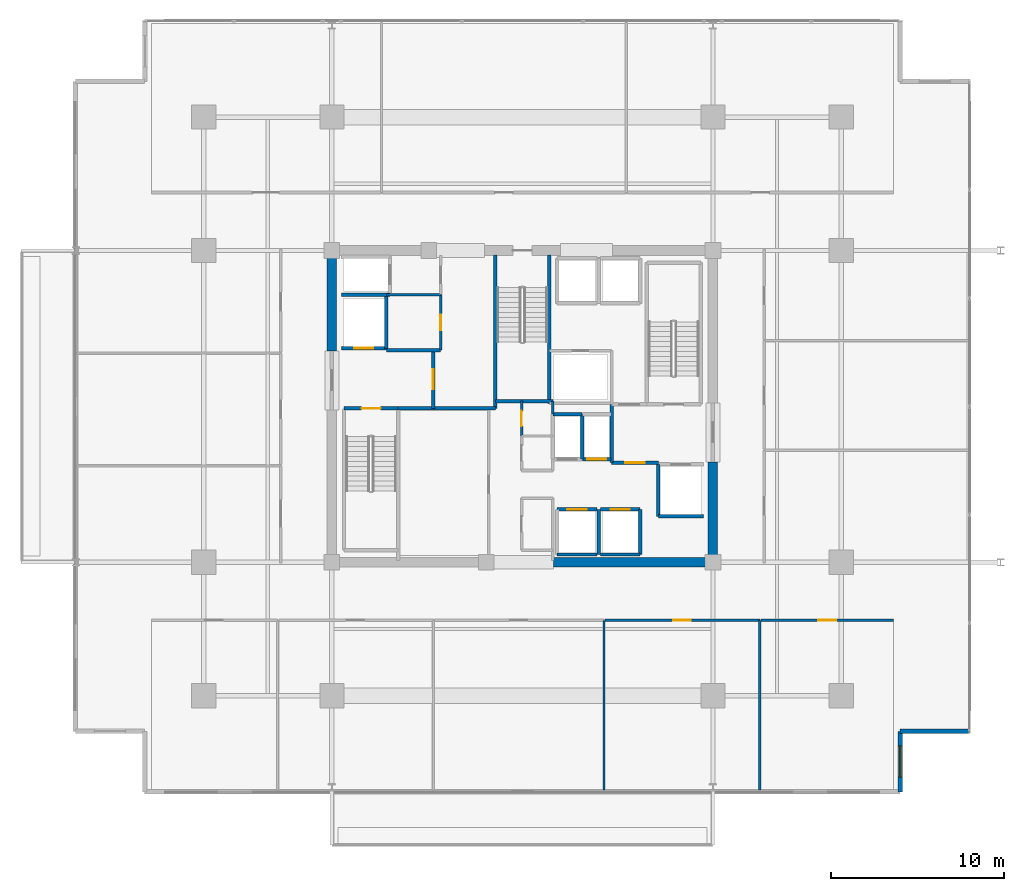
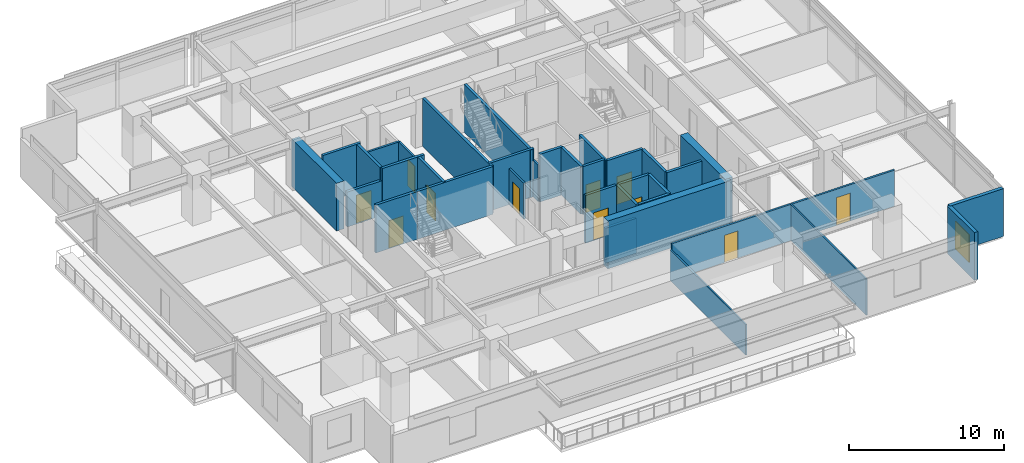
# One storey, part 15 of 22: 36 walls, 11 doors, 1 window, 12 openings.
"""IFC4 building model written with IfcOpenShell, lengths in metres."""

from ifc_helpers import new_model, si_unit, direction, frame, frame_2d, origin, place, context, subcontext, project, spatial, rectangle, extrude, material, layer, layer_set, type_object, element, fill, save


model = new_model("IFC4")

# Units and contexts
model_context = context("Model", 3, precision=1e-05, world=origin(), true_north=direction((0.0, 1.0)))
body_context = subcontext(model_context, "Body", "Model", "MODEL_VIEW")
ifc_project = project(units=[si_unit("LENGTHUNIT", "METRE"), si_unit("AREAUNIT", "SQUARE_METRE"), si_unit("VOLUMEUNIT", "CUBIC_METRE"), si_unit("PLANEANGLEUNIT", "RADIAN"), si_unit("MASSUNIT", "GRAM", prefix="KILO")], contexts=[model_context])

# Site, building, storey
site_placement = place(None, origin())
site = spatial("IfcSite", under=ifc_project, at=site_placement, CompositionType="ELEMENT")
building_placement = place(site_placement, origin())
building = spatial("IfcBuilding", under=site, at=building_placement, Name="Kovane Verandah Tower", CompositionType="ELEMENT")
storey_placement = place(building_placement, frame((0.0, 0.0, 225.199951171875)))
storey = spatial("IfcBuildingStorey", under=building, at=storey_placement, Name="L52", CompositionType="ELEMENT", Elevation=225.199951171875)

# Wall
ifc_material_1 = material(Name="Fire-Rated Gypsum Stud Partition", Category="gypsum")
ifc_layer_1 = layer(ifc_material_1, 0.14990234375)
ifc_layer_set_1 = layer_set([ifc_layer_1], Name="Fire-Rated Gypsum Stud Partition")
wall_type_1 = type_object("IfcWallType", Name="WL-COR-150", PredefinedType="PARTITIONING", material=ifc_layer_set_1)
wall_1_placement = place(storey_placement, frame((41.760009765625, 27.050048828125, 0.0), z_axis=(0.0, 0.0, 1.0), x_axis=(0.0, 1.0, 0.0)))
element("IfcWall", 1, at=wall_1_placement, inside=storey, type_object=wall_type_1, Name="L52 Central Core Strip Upper East Wall", PredefinedType="PARTITIONING", context=body_context, shape_type="SweptSolid", body=[
    extrude(rectangle(XDim=0.75, YDim=0.14990234375, at=frame_2d((0.375, 0.0))), origin(), (0.0, 0.0, 1.0), 2.85009765625),
])

# Wall, opening, door
wall_2_placement = place(storey_placement, frame((39.949951171875, 25.800048828125, 0.0), z_axis=(0.0, 0.0, 1.0), x_axis=(0.0, 1.0, 0.0)))
wall_2 = element("IfcWall", 2, at=wall_2_placement, inside=storey, type_object=wall_type_1, Name="L52 Telecom and BMS Riser Room Partition", PredefinedType="PARTITIONING", context=body_context, shape_type="SweptSolid", body=[
    extrude(rectangle(XDim=2.0, YDim=0.14990234375, at=frame_2d((1.0, 0.0))), origin(), (0.0, 0.0, 1.0), 2.85009765625),
])
opening_1_placement = place(wall_2_placement, frame((0.56005859375, 0.0, 0.0)))
opening_1 = element("IfcOpeningElement", 3, at=opening_1_placement, cuts=wall_2, Name="Opening DR-L52-025", PredefinedType="OPENING", context=body_context, shape_type="SweptSolid", body=[
    extrude(rectangle(XDim=0.8798828125, YDim=2.10009765625, at=frame_2d((0.43994140625, 1.050048828125))), frame((0.0, 0.074951171875, 0.0), z_axis=(0.0, -1.0, 0.0), x_axis=(1.0, 0.0, 0.0)), (0.0, 0.0, 1.0), 0.14990234375),
])
ifc_material_2 = material(Name="Fire-Rated Steel Riser Access Door", Category="steel")
door_type_1 = type_object("IfcDoorType", Name="DR-RISER-880", OperationType="SINGLE_SWING_LEFT", PredefinedType="DOOR", material=ifc_material_2)
door_1_placement = place(opening_1_placement, origin())
door_1 = element("IfcDoor", 4, at=door_1_placement, inside=storey, type_object=door_type_1, Name="L52 Telecom and BMS Riser Room Door", OperationType="SINGLE_SWING_RIGHT", OverallHeight=2.10009765625, OverallWidth=0.8798828125, PredefinedType="DOOR", context=body_context, shape_type="SweptSolid", body=[
    extrude(rectangle(XDim=0.8798828125, YDim=2.10009765625, at=frame_2d((0.43994140625, 1.050048828125))), frame((0.0, 0.02490234375, 0.0), z_axis=(0.0, -1.0, 0.0), x_axis=(1.0, 0.0, 0.0)), (0.0, 0.0, 1.0), 0.050048828125),
])
fill(opening_1, door_1)

# Wall
wall_3_placement = place(storey_placement, frame((32.14990234375, 33.949951171875, 0.0), z_axis=(0.0, 0.0, 1.0), x_axis=(1.0, 0.0, 0.0)))
element("IfcWall", 5, at=wall_3_placement, inside=storey, type_object=wall_type_1, Name="L52 Goods Lift Lobby South Wall", PredefinedType="PARTITIONING", context=body_context, shape_type="SweptSolid", body=[
    extrude(rectangle(XDim=3.130126953125, YDim=0.14990234375, at=frame_2d((1.56494140625, 0.0))), origin(), (0.0, 0.0, 1.0), 2.85009765625),
])

# Wall, opening, door
wall_4_placement = place(storey_placement, frame((35.280029296875, 30.75, 0.0), z_axis=(0.0, 0.0, 1.0), x_axis=(0.0, 1.0, 0.0)))
wall_4 = element("IfcWall", 6, at=wall_4_placement, inside=storey, type_object=wall_type_1, Name="L52 Accessible Unisex Toilet Partition", PredefinedType="PARTITIONING", context=body_context, shape_type="SweptSolid", body=[
    extrude(rectangle(XDim=3.199951171875, YDim=0.14990234375, at=frame_2d((1.60009765625, 0.0))), origin(), (0.0, 0.0, 1.0), 2.85009765625),
])
opening_2_placement = place(wall_4_placement, frame((1.14990234375, 0.0, 0.0)))
opening_2 = element("IfcOpeningElement", 7, at=opening_2_placement, cuts=wall_4, Name="Opening DR-L52-026", PredefinedType="OPENING", context=body_context, shape_type="SweptSolid", body=[
    extrude(rectangle(XDim=0.89990234375, YDim=2.10009765625, at=frame_2d((0.449951171875, 1.050048828125))), frame((0.0, 0.074951171875, 0.0), z_axis=(0.0, -1.0, 0.0), x_axis=(1.0, 0.0, 0.0)), (0.0, 0.0, 1.0), 0.14990234375),
])
ifc_material_3 = material(Name="Moisture-Resistant Laminate Washroom Door", Category="wood")
door_type_2 = type_object("IfcDoorType", Name="DR-WC-900", OperationType="SINGLE_SWING_LEFT", PredefinedType="DOOR", material=ifc_material_3)
door_2_placement = place(opening_2_placement, origin())
door_2 = element("IfcDoor", 8, at=door_2_placement, inside=storey, type_object=door_type_2, Name="L52 Accessible Unisex Toilet Door", OperationType="SINGLE_SWING_RIGHT", OverallHeight=2.10009765625, OverallWidth=0.89990234375, PredefinedType="DOOR", context=body_context, shape_type="SweptSolid", body=[
    extrude(rectangle(XDim=0.89990234375, YDim=2.10009765625, at=frame_2d((0.449951171875, 1.050048828125))), frame((0.0, 0.02490234375, 0.0), z_axis=(0.0, -1.0, 0.0), x_axis=(1.0, 0.0, 0.0)), (0.0, 0.0, 1.0), 0.050048828125),
])
fill(opening_2, door_2)

wall_5_placement = place(storey_placement, frame((44.780029296875, 15.14990234375, 0.0), z_axis=(0.0, 0.0, 1.0), x_axis=(1.0, 0.0, 0.0)))
wall_5 = element("IfcWall", 9, at=wall_5_placement, inside=storey, type_object=wall_type_1, Name="L52 Open Plan Office S4 Corridor Partition", PredefinedType="PARTITIONING", context=body_context, shape_type="SweptSolid", body=[
    extrude(rectangle(XDim=8.922119140625, YDim=0.14990234375, at=frame_2d((4.4609375, 0.0))), origin(), (0.0, 0.0, 1.0), 2.85009765625),
])
opening_3_placement = place(wall_5_placement, frame((3.926025390625, 0.0, 0.0)))
opening_3 = element("IfcOpeningElement", 10, at=opening_3_placement, cuts=wall_5, Name="Opening DR-L52-023", PredefinedType="OPENING", context=body_context, shape_type="SweptSolid", body=[
    extrude(rectangle(XDim=1.0, YDim=2.14990234375, at=frame_2d((0.5, 1.074951171875))), frame((0.0, 0.074951171875, 0.0), z_axis=(0.0, -1.0, 0.0), x_axis=(1.0, 0.0, 0.0)), (0.0, 0.0, 1.0), 0.14990234375),
])
ifc_material_4 = material(Name="FSC Spotted-Gum Timber Fire-Rated Office Door", Category="wood")
door_type_3 = type_object("IfcDoorType", Name="DR-OFF-1000", OperationType="SINGLE_SWING_LEFT", PredefinedType="DOOR", material=ifc_material_4)
door_3_placement = place(opening_3_placement, origin())
door_3 = element("IfcDoor", 11, at=door_3_placement, inside=storey, type_object=door_type_3, Name="L52 Open Plan Office S4 Entrance Door", OperationType="SINGLE_SWING_LEFT", OverallHeight=2.14990234375, OverallWidth=1.0, PredefinedType="DOOR", context=body_context, shape_type="SweptSolid", body=[
    extrude(rectangle(XDim=1.0, YDim=2.14990234375, at=frame_2d((0.5, 1.074951171875))), frame((0.0, 0.02490234375, 0.0), z_axis=(0.0, -1.0, 0.0), x_axis=(1.0, 0.0, 0.0)), (0.0, 0.0, 1.0), 0.050048828125),
])
fill(opening_3, door_3)

wall_6_placement = place(storey_placement, frame((53.772216796875, 15.14990234375, 0.0), z_axis=(0.0, 0.0, 1.0), x_axis=(1.0, 0.0, 0.0)))
wall_6 = element("IfcWall", 12, at=wall_6_placement, inside=storey, type_object=wall_type_1, Name="L52 Executive Office S5 Corridor Partition", PredefinedType="PARTITIONING", context=body_context, shape_type="SweptSolid", body=[
    extrude(rectangle(XDim=7.637451171875, YDim=0.14990234375, at=frame_2d((3.81884765625, 0.0))), origin(), (0.0, 0.0, 1.0), 2.85009765625),
])
opening_4_placement = place(wall_6_placement, frame((3.293701171875, 0.0, 0.0)))
opening_4 = element("IfcOpeningElement", 13, at=opening_4_placement, cuts=wall_6, Name="Opening DR-L52-024", PredefinedType="OPENING", context=body_context, shape_type="SweptSolid", body=[
    extrude(rectangle(XDim=1.050048828125, YDim=2.199951171875, at=frame_2d((0.52490234375, 1.10009765625))), frame((0.0, 0.074951171875, 0.0), z_axis=(0.0, -1.0, 0.0), x_axis=(1.0, 0.0, 0.0)), (0.0, 0.0, 1.0), 0.14990234375),
])
ifc_material_5 = material(Name="FSC Blackbutt Timber Fire-Rated Executive Door", Category="wood")
door_type_4 = type_object("IfcDoorType", Name="DR-EXEC-1050", OperationType="SINGLE_SWING_LEFT", PredefinedType="DOOR", material=ifc_material_5)
door_4_placement = place(opening_4_placement, origin())
door_4 = element("IfcDoor", 14, at=door_4_placement, inside=storey, type_object=door_type_4, Name="L52 Executive Office S5 Entrance Door", OperationType="SINGLE_SWING_RIGHT", OverallHeight=2.199951171875, OverallWidth=1.050048828125, PredefinedType="DOOR", context=body_context, shape_type="SweptSolid", body=[
    extrude(rectangle(XDim=1.050048828125, YDim=2.199951171875, at=frame_2d((0.52490234375, 1.10009765625))), frame((0.0, 0.02490234375, 0.0), z_axis=(0.0, -1.0, 0.0), x_axis=(1.0, 0.0, 0.0)), (0.0, 0.0, 1.0), 0.050048828125),
])
fill(opening_4, door_4)

# Walls
ifc_material_6 = material(Name="Concrete C60/75", Category="concrete")
ifc_layer_2 = layer(ifc_material_6, 0.550048828125)
ifc_layer_set_2 = layer_set([ifc_layer_2], Name="Concrete C60/75")
wall_type_2 = type_object("IfcWallType", Name="WL-CORE-550", PredefinedType="SHEAR", material=ifc_layer_set_2)
wall_7_placement = place(storey_placement, frame((41.800048828125, 18.5, 0.0), z_axis=(0.0, 0.0, 1.0), x_axis=(1.0, 0.0, 0.0)))
element("IfcWall", 15, at=wall_7_placement, inside=storey, type_object=wall_type_2, Name="L52 Core Shear Wall CS-2", PredefinedType="SHEAR", context=body_context, shape_type="SweptSolid", body=[
    extrude(rectangle(XDim=9.199951171875, YDim=0.550048828125, at=frame_2d((4.60009765625, 0.0))), origin(), (0.0, 0.0, 1.0), 3.775146484375),
])
for number, where, z_axis, x_axis, name in (
    (16, (29.0, 30.699951171875, 0.0), (0.0, 0.0, 1.0), (0.0, 1.0, 0.0), "L52 Core Shear Wall CW-2"),
    (17, (51.0, 18.5, 0.0), (0.0, 0.0, 1.0), (0.0, 1.0, 0.0), "L52 Core Shear Wall CE-1"),
):
    element("IfcWall", number, at=place(storey_placement, frame(where, z_axis=z_axis, x_axis=x_axis)), inside=storey, type_object=wall_type_2, Name=name, PredefinedType="SHEAR", context=body_context, shape_type="SweptSolid", body=[
        extrude(rectangle(XDim=5.800048828125, YDim=0.550048828125, at=frame_2d((2.89990234375, 0.0))), origin(), (0.0, 0.0, 1.0), 3.775146484375),
    ])

# Wall, opening, door
ifc_material_7 = material(Name="Concrete C45/55 Fire Wall", Category="concrete")
ifc_layer_3 = layer(ifc_material_7, 0.199951171875)
ifc_layer_set_3 = layer_set([ifc_layer_3], Name="Concrete C45/55 Fire Wall")
wall_type_3 = type_object("IfcWallType", Name="WL-FFL-200", PredefinedType="PARTITIONING", material=ifc_layer_set_3)
wall_8_placement = place(storey_placement, frame((34.85009765625, 27.3798828125, 0.0), z_axis=(0.0, 0.0, 1.0), x_axis=(0.0, 1.0, 0.0)))
wall_8 = element("IfcWall", 18, at=wall_8_placement, inside=storey, type_object=wall_type_3, Name="W-L52-FFLW-E", PredefinedType="PARTITIONING", context=body_context, shape_type="SweptSolid", body=[
    extrude(rectangle(XDim=3.3701171875, YDim=0.199951171875, at=frame_2d((1.68505859375, 0.0))), origin(), (0.0, 0.0, 1.0), 3.775146484375),
])
opening_5_placement = place(wall_8_placement, frame((1.110107421875, 0.0, 0.0)))
opening_5 = element("IfcOpeningElement", 19, at=opening_5_placement, cuts=wall_8, Name="Opening DR-L52-006", PredefinedType="OPENING", context=body_context, shape_type="SweptSolid", body=[
    extrude(rectangle(XDim=1.14990234375, YDim=2.199951171875, at=frame_2d((0.574951171875, 1.10009765625))), frame((0.0, 0.10009765625, 0.0), z_axis=(0.0, -1.0, 0.0), x_axis=(1.0, 0.0, 0.0)), (0.0, 0.0, 1.0), 0.199951171875),
])
ifc_material_8 = material(Name="Smoke-Sealed Firefighting Lobby Door", Category="steel")
door_type_5 = type_object("IfcDoorType", Name="DR-FFL-1150", OperationType="SINGLE_SWING_LEFT", PredefinedType="DOOR", material=ifc_material_8)
door_5_placement = place(opening_5_placement, origin())
door_5 = element("IfcDoor", 20, at=door_5_placement, inside=storey, type_object=door_type_5, Name="L52 West Firefighting Lobby Inner Door", OperationType="SINGLE_SWING_LEFT", OverallHeight=2.199951171875, OverallWidth=1.14990234375, PredefinedType="DOOR", context=body_context, shape_type="SweptSolid", body=[
    extrude(rectangle(XDim=1.14990234375, YDim=2.199951171875, at=frame_2d((0.574951171875, 1.10009765625))), frame((0.0, 0.02490234375, 0.0), z_axis=(0.0, -1.0, 0.0), x_axis=(1.0, 0.0, 0.0)), (0.0, 0.0, 1.0), 0.050048828125),
])
fill(opening_5, door_5)

# Walls
wall_9_placement = place(storey_placement, frame((32.820068359375, 27.3798828125, 0.0), z_axis=(0.0, 0.0, 1.0), x_axis=(1.0, 0.0, 0.0)))
element("IfcWall", 21, at=wall_9_placement, inside=storey, type_object=wall_type_3, Name="L52 West Firefighting Lobby South Fire Wall", PredefinedType="PARTITIONING", context=body_context, shape_type="SweptSolid", body=[
    extrude(rectangle(XDim=5.619873046875, YDim=0.199951171875, at=frame_2d((2.81005859375, 0.0))), origin(), (0.0, 0.0, 1.0), 3.775146484375),
])
wall_10_placement = place(storey_placement, frame((32.14990234375, 30.75, 0.0), z_axis=(0.0, 0.0, 1.0), x_axis=(1.0, 0.0, 0.0)))
element("IfcWall", 22, at=wall_10_placement, inside=storey, type_object=wall_type_3, Name="L52 West Firefighting Lobby North Fire Wall", PredefinedType="PARTITIONING", context=body_context, shape_type="SweptSolid", body=[
    extrude(rectangle(XDim=3.130126953125, YDim=0.199951171875, at=frame_2d((1.56494140625, 0.0))), origin(), (0.0, 0.0, 1.0), 3.775146484375),
])
wall_11_placement = place(storey_placement, frame((45.14990234375, 24.25, 0.0), z_axis=(0.0, 0.0, 1.0), x_axis=(0.0, 1.0, 0.0)))
element("IfcWall", 23, at=wall_11_placement, inside=storey, type_object=wall_type_3, Name="L52 East Firefighting Lobby West Fire Wall", PredefinedType="PARTITIONING", context=body_context, shape_type="SweptSolid", body=[
    extrude(rectangle(XDim=3.3701171875, YDim=0.199951171875, at=frame_2d((1.68505859375, 0.0))), origin(), (0.0, 0.0, 1.0), 3.775146484375),
])

# Wall, opening, door
wall_12_placement = place(storey_placement, frame((45.14990234375, 24.25, 0.0), z_axis=(0.0, 0.0, 1.0), x_axis=(1.0, 0.0, 0.0)))
wall_12 = element("IfcWall", 24, at=wall_12_placement, inside=storey, type_object=wall_type_3, Name="W-L52-FFLE-S", PredefinedType="PARTITIONING", context=body_context, shape_type="SweptSolid", body=[
    extrude(rectangle(XDim=2.7001953125, YDim=0.199951171875, at=frame_2d((1.35009765625, 0.0))), origin(), (0.0, 0.0, 1.0), 3.775146484375),
])
opening_6_placement = place(wall_12_placement, frame((0.77490234375, 0.0, 0.0)))
opening_6 = element("IfcOpeningElement", 25, at=opening_6_placement, cuts=wall_12, Name="Opening DR-L52-003", PredefinedType="OPENING", context=body_context, shape_type="SweptSolid", body=[
    extrude(rectangle(XDim=1.14990234375, YDim=2.199951171875, at=frame_2d((0.574951171875, 1.10009765625))), frame((0.0, 0.10009765625, 0.0), z_axis=(0.0, -1.0, 0.0), x_axis=(1.0, 0.0, 0.0)), (0.0, 0.0, 1.0), 0.199951171875),
])
door_6_placement = place(opening_6_placement, origin())
door_6 = element("IfcDoor", 26, at=door_6_placement, inside=storey, type_object=door_type_5, Name="L52 East Firefighting Lobby Inner Door", OperationType="SINGLE_SWING_RIGHT", OverallHeight=2.199951171875, OverallWidth=1.14990234375, PredefinedType="DOOR", context=body_context, shape_type="SweptSolid", body=[
    extrude(rectangle(XDim=1.14990234375, YDim=2.199951171875, at=frame_2d((0.574951171875, 1.10009765625))), frame((0.0, 0.02490234375, 0.0), z_axis=(0.0, -1.0, 0.0), x_axis=(1.0, 0.0, 0.0)), (0.0, 0.0, 1.0), 0.050048828125),
])
fill(opening_6, door_6)

ifc_material_9 = material(Name="Concrete C45/55 Lift Shaft Wall", Category="concrete")
ifc_layer_4 = layer(ifc_material_9, 0.199951171875)
ifc_layer_set_4 = layer_set([ifc_layer_4], Name="Concrete C45/55 Lift Shaft Wall")
wall_type_4 = type_object("IfcWallType", Name="WL-LIFT-200", PredefinedType="SOLIDWALL", material=ifc_layer_set_4)
wall_13_placement = place(storey_placement, frame((29.550048828125, 30.85009765625, 0.0), z_axis=(0.0, 0.0, 1.0), x_axis=(1.0, 0.0, 0.0)))
wall_13 = element("IfcWall", 27, at=wall_13_placement, inside=storey, type_object=wall_type_4, Name="L52 Lift FL-01 S Shaft Wall", PredefinedType="SOLIDWALL", context=body_context, shape_type="SweptSolid", body=[
    extrude(rectangle(XDim=2.599853515625, YDim=0.199951171875, at=frame_2d((1.2998046875, 0.0))), origin(), (0.0, 0.0, 1.0), 2.755126953125),
])
opening_7_placement = place(wall_13_placement, frame((0.75, 0.0, 0.0)))
opening_7 = element("IfcOpeningElement", 28, at=opening_7_placement, cuts=wall_13, Name="Opening LD-L52-001", PredefinedType="OPENING", context=body_context, shape_type="SweptSolid", body=[
    extrude(rectangle(XDim=1.10009765625, YDim=2.199951171875, at=frame_2d((0.550048828125, 1.10009765625))), frame((0.0, 0.10009765625, 0.0), z_axis=(0.0, -1.0, 0.0), x_axis=(1.0, 0.0, 0.0)), (0.0, 0.0, 1.0), 0.199951171875),
])
ifc_material_10 = material(Name="Brushed Stainless Steel Sliding Lift Landing Door", Category="steel")
door_type_6 = type_object("IfcDoorType", Name="DR-LIFT-1100", OperationType="SLIDING_TO_RIGHT", PredefinedType="DOOR", material=ifc_material_10)
door_7_placement = place(opening_7_placement, origin())
door_7 = element("IfcDoor", 29, at=door_7_placement, inside=storey, type_object=door_type_6, Name="L52 Lift FL-01 Sliding Landing Door", OperationType="SLIDING_TO_RIGHT", OverallHeight=2.199951171875, OverallWidth=1.10009765625, PredefinedType="DOOR", context=body_context, shape_type="SweptSolid", body=[
    extrude(rectangle(XDim=1.10009765625, YDim=2.199951171875, at=frame_2d((0.550048828125, 1.10009765625))), frame((0.0, 0.02490234375, 0.0), z_axis=(0.0, -1.0, 0.0), x_axis=(1.0, 0.0, 0.0)), (0.0, 0.0, 1.0), 0.050048828125),
])
fill(opening_7, door_7)

# Walls
wall_14_placement = place(storey_placement, frame((29.550048828125, 33.949951171875, 0.0), z_axis=(0.0, 0.0, 1.0), x_axis=(1.0, 0.0, 0.0)))
element("IfcWall", 30, at=wall_14_placement, inside=storey, type_object=wall_type_4, Name="L52 Lift FL-01 and GL-01 Shared Shaft Wall", PredefinedType="SOLIDWALL", context=body_context, shape_type="SweptSolid", body=[
    extrude(rectangle(XDim=2.800048828125, YDim=0.199951171875, at=frame_2d((1.39990234375, 0.0))), origin(), (0.0, 0.0, 1.0), 3.775146484375),
])
wall_15_placement = place(storey_placement, frame((32.14990234375, 30.85009765625, 0.0), z_axis=(0.0, 0.0, 1.0), x_axis=(0.0, 1.0, 0.0)))
element("IfcWall", 31, at=wall_15_placement, inside=storey, type_object=wall_type_4, Name="L52 Lift FL-01 E Shaft Wall", PredefinedType="SOLIDWALL", context=body_context, shape_type="SweptSolid", body=[
    extrude(rectangle(XDim=3.0, YDim=0.199951171875, at=frame_2d((1.5, 0.0))), origin(), (0.0, 0.0, 1.0), 3.775146484375),
])
wall_16_placement = place(storey_placement, frame((47.85009765625, 21.14990234375, 0.0), z_axis=(0.0, 0.0, 1.0), x_axis=(1.0, 0.0, 0.0)))
element("IfcWall", 32, at=wall_16_placement, inside=storey, type_object=wall_type_4, Name="L52 Lift FL-02 S Shaft Wall", PredefinedType="SOLIDWALL", context=body_context, shape_type="SweptSolid", body=[
    extrude(rectangle(XDim=2.599853515625, YDim=0.199951171875, at=frame_2d((1.2998046875, 0.0))), origin(), (0.0, 0.0, 1.0), 3.775146484375),
])
wall_17_placement = place(storey_placement, frame((47.85009765625, 24.14990234375, 0.0), z_axis=(0.0, 0.0, 1.0), x_axis=(0.0, -1.0, 0.0)))
element("IfcWall", 33, at=wall_17_placement, inside=storey, type_object=wall_type_4, Name="L52 Lift FL-02 W Shaft Wall", PredefinedType="SOLIDWALL", context=body_context, shape_type="SweptSolid", body=[
    extrude(rectangle(XDim=3.0, YDim=0.199951171875, at=frame_2d((1.5, 0.0))), origin(), (0.0, 0.0, 1.0), 3.775146484375),
])
wall_18_placement = place(storey_placement, frame((42.0, 18.949951171875, 0.0), z_axis=(0.0, 0.0, 1.0), x_axis=(1.0, 0.0, 0.0)))
element("IfcWall", 34, at=wall_18_placement, inside=storey, type_object=wall_type_4, Name="L52 Lift PL-M1 S Shaft Wall", PredefinedType="SOLIDWALL", context=body_context, shape_type="SweptSolid", body=[
    extrude(rectangle(XDim=2.300048828125, YDim=0.199951171875, at=frame_2d((1.14990234375, 0.0))), origin(), (0.0, 0.0, 1.0), 2.755126953125),
])

# Wall, opening, door
wall_19_placement = place(storey_placement, frame((44.300048828125, 21.550048828125, 0.0), z_axis=(0.0, 0.0, 1.0), x_axis=(-1.0, 0.0, 0.0)))
wall_19 = element("IfcWall", 35, at=wall_19_placement, inside=storey, type_object=wall_type_4, Name="L52 Lift PL-M1 N Shaft Wall", PredefinedType="SOLIDWALL", context=body_context, shape_type="SweptSolid", body=[
    extrude(rectangle(XDim=2.300048828125, YDim=0.199951171875, at=frame_2d((1.14990234375, 0.0))), origin(), (0.0, 0.0, 1.0), 3.775146484375),
])
opening_8_placement = place(wall_19_placement, frame((0.60009765625, 0.0, 0.0)))
opening_8 = element("IfcOpeningElement", 36, at=opening_8_placement, cuts=wall_19, Name="Opening LD-L52-004", PredefinedType="OPENING", context=body_context, shape_type="SweptSolid", body=[
    extrude(rectangle(XDim=1.10009765625, YDim=2.199951171875, at=frame_2d((0.550048828125, 1.10009765625))), frame((0.0, 0.10009765625, 0.0), z_axis=(0.0, -1.0, 0.0), x_axis=(1.0, 0.0, 0.0)), (0.0, 0.0, 1.0), 0.199951171875),
])
door_8_placement = place(opening_8_placement, origin())
door_8 = element("IfcDoor", 37, at=door_8_placement, inside=storey, type_object=door_type_6, Name="L52 Lift PL-M1 Sliding Landing Door", OperationType="SLIDING_TO_RIGHT", OverallHeight=2.199951171875, OverallWidth=1.10009765625, PredefinedType="DOOR", context=body_context, shape_type="SweptSolid", body=[
    extrude(rectangle(XDim=1.10009765625, YDim=2.199951171875, at=frame_2d((0.550048828125, 1.10009765625))), frame((0.0, 0.02490234375, 0.0), z_axis=(0.0, -1.0, 0.0), x_axis=(1.0, 0.0, 0.0)), (0.0, 0.0, 1.0), 0.050048828125),
])
fill(opening_8, door_8)

# Walls
wall_20_placement = place(storey_placement, frame((44.39990234375, 18.949951171875, 0.0), z_axis=(0.0, 0.0, 1.0), x_axis=(0.0, 1.0, 0.0)))
element("IfcWall", 38, at=wall_20_placement, inside=storey, type_object=wall_type_4, Name="L52 Lift PL-M1 and PL-M2 Shared Shaft Wall", PredefinedType="SOLIDWALL", context=body_context, shape_type="SweptSolid", body=[
    extrude(rectangle(XDim=2.60009765625, YDim=0.199951171875, at=frame_2d((1.300048828125, 0.0))), origin(), (0.0, 0.0, 1.0), 3.775146484375),
])
wall_21_placement = place(storey_placement, frame((44.5, 18.949951171875, 0.0), z_axis=(0.0, 0.0, 1.0), x_axis=(1.0, 0.0, 0.0)))
element("IfcWall", 39, at=wall_21_placement, inside=storey, type_object=wall_type_4, Name="L52 Lift PL-M2 S Shaft Wall", PredefinedType="SOLIDWALL", context=body_context, shape_type="SweptSolid", body=[
    extrude(rectangle(XDim=2.300048828125, YDim=0.199951171875, at=frame_2d((1.14990234375, 0.0))), origin(), (0.0, 0.0, 1.0), 3.775146484375),
])

# Wall, opening, door
wall_22_placement = place(storey_placement, frame((46.800048828125, 21.550048828125, 0.0), z_axis=(0.0, 0.0, 1.0), x_axis=(-1.0, 0.0, 0.0)))
wall_22 = element("IfcWall", 40, at=wall_22_placement, inside=storey, type_object=wall_type_4, Name="L52 Lift PL-M2 N Shaft Wall", PredefinedType="SOLIDWALL", context=body_context, shape_type="SweptSolid", body=[
    extrude(rectangle(XDim=2.300048828125, YDim=0.199951171875, at=frame_2d((1.14990234375, 0.0))), origin(), (0.0, 0.0, 1.0), 3.775146484375),
])
opening_9_placement = place(wall_22_placement, frame((0.60009765625, 0.0, 0.0)))
opening_9 = element("IfcOpeningElement", 41, at=opening_9_placement, cuts=wall_22, Name="Opening LD-L52-005", PredefinedType="OPENING", context=body_context, shape_type="SweptSolid", body=[
    extrude(rectangle(XDim=1.10009765625, YDim=2.199951171875, at=frame_2d((0.550048828125, 1.10009765625))), frame((0.0, 0.10009765625, 0.0), z_axis=(0.0, -1.0, 0.0), x_axis=(1.0, 0.0, 0.0)), (0.0, 0.0, 1.0), 0.199951171875),
])
door_9_placement = place(opening_9_placement, origin())
door_9 = element("IfcDoor", 42, at=door_9_placement, inside=storey, type_object=door_type_6, Name="L52 Lift PL-M2 Sliding Landing Door", OperationType="SLIDING_TO_RIGHT", OverallHeight=2.199951171875, OverallWidth=1.10009765625, PredefinedType="DOOR", context=body_context, shape_type="SweptSolid", body=[
    extrude(rectangle(XDim=1.10009765625, YDim=2.199951171875, at=frame_2d((0.550048828125, 1.10009765625))), frame((0.0, 0.02490234375, 0.0), z_axis=(0.0, -1.0, 0.0), x_axis=(1.0, 0.0, 0.0)), (0.0, 0.0, 1.0), 0.050048828125),
])
fill(opening_9, door_9)

# Walls
wall_23_placement = place(storey_placement, frame((46.800048828125, 18.949951171875, 0.0), z_axis=(0.0, 0.0, 1.0), x_axis=(0.0, 1.0, 0.0)))
element("IfcWall", 43, at=wall_23_placement, inside=storey, type_object=wall_type_4, Name="L52 Lift PL-M2 E Shaft Wall", PredefinedType="SOLIDWALL", context=body_context, shape_type="SweptSolid", body=[
    extrude(rectangle(XDim=2.60009765625, YDim=0.199951171875, at=frame_2d((1.300048828125, 0.0))), origin(), (0.0, 0.0, 1.0), 3.775146484375),
])
wall_24_placement = place(storey_placement, frame((43.43994140625, 27.050048828125, 0.0), z_axis=(0.0, 0.0, 1.0), x_axis=(-1.0, 0.0, 0.0)))
element("IfcWall", 44, at=wall_24_placement, inside=storey, type_object=wall_type_4, Name="L52 Lift PL-M3 N Shaft Wall", PredefinedType="SOLIDWALL", context=body_context, shape_type="SweptSolid", body=[
    extrude(rectangle(XDim=1.679931640625, YDim=0.199951171875, at=frame_2d((0.83984375, 0.0))), origin(), (0.0, 0.0, 1.0), 3.775146484375),
])
wall_25_placement = place(storey_placement, frame((43.449951171875, 24.449951171875, 0.0), z_axis=(0.0, 0.0, 1.0), x_axis=(0.0, 1.0, 0.0)))
element("IfcWall", 45, at=wall_25_placement, inside=storey, type_object=wall_type_4, Name="L52 Lift PL-M3 and PL-M4 Shared Shaft Wall", PredefinedType="SOLIDWALL", context=body_context, shape_type="SweptSolid", body=[
    extrude(rectangle(XDim=2.60009765625, YDim=0.199951171875, at=frame_2d((1.300048828125, 0.0))), origin(), (0.0, 0.0, 1.0), 3.775146484375),
])

# Wall, opening, door
wall_26_placement = place(storey_placement, frame((43.4599609375, 24.449951171875, 0.0), z_axis=(0.0, 0.0, 1.0), x_axis=(1.0, 0.0, 0.0)))
wall_26 = element("IfcWall", 46, at=wall_26_placement, inside=storey, type_object=wall_type_4, Name="L52 Lift PL-M4 S Shaft Wall", PredefinedType="SOLIDWALL", context=body_context, shape_type="SweptSolid", body=[
    extrude(rectangle(XDim=1.66015625, YDim=0.199951171875, at=frame_2d((0.830078125, 0.0))), origin(), (0.0, 0.0, 1.0), 3.775146484375),
])
opening_10_placement = place(wall_26_placement, frame((0.280029296875, 0.0, 0.0)))
opening_10 = element("IfcOpeningElement", 47, at=opening_10_placement, cuts=wall_26, Name="Opening LD-L52-007", PredefinedType="OPENING", context=body_context, shape_type="SweptSolid", body=[
    extrude(rectangle(XDim=1.10009765625, YDim=2.199951171875, at=frame_2d((0.550048828125, 1.10009765625))), frame((0.0, 0.10009765625, 0.0), z_axis=(0.0, -1.0, 0.0), x_axis=(1.0, 0.0, 0.0)), (0.0, 0.0, 1.0), 0.199951171875),
])
door_10_placement = place(opening_10_placement, origin())
door_10 = element("IfcDoor", 48, at=door_10_placement, inside=storey, type_object=door_type_6, Name="L52 Lift PL-M4 Sliding Landing Door", OperationType="SLIDING_TO_RIGHT", OverallHeight=2.199951171875, OverallWidth=1.10009765625, PredefinedType="DOOR", context=body_context, shape_type="SweptSolid", body=[
    extrude(rectangle(XDim=1.10009765625, YDim=2.199951171875, at=frame_2d((0.550048828125, 1.10009765625))), frame((0.0, 0.02490234375, 0.0), z_axis=(0.0, -1.0, 0.0), x_axis=(1.0, 0.0, 0.0)), (0.0, 0.0, 1.0), 0.050048828125),
])
fill(opening_10, door_10)

# Walls
ifc_material_11 = material(Name="Acoustic Fire-Rated Gypsum Partition", Category="gypsum")
ifc_layer_5 = layer(ifc_material_11, 0.1201171875)
ifc_layer_set_5 = layer_set([ifc_layer_5], Name="Acoustic Fire-Rated Gypsum Partition")
wall_type_5 = type_object("IfcWallType", Name="WL-PART-120", PredefinedType="PARTITIONING", material=ifc_layer_set_5)
wall_27_placement = place(storey_placement, frame((44.710205078125, 5.34375, 0.0), z_axis=(0.0, 0.0, 1.0), x_axis=(0.0, 1.0, 0.0)))
element("IfcWall", 49, at=wall_27_placement, inside=storey, type_object=wall_type_5, Name="L52 Document and Print Room S3 Dividing Partition", PredefinedType="PARTITIONING", context=body_context, shape_type="SweptSolid", body=[
    extrude(rectangle(XDim=9.80615234375, YDim=0.1201171875, at=frame_2d((4.903076171875, 0.0))), origin(), (0.0, 0.0, 1.0), 2.405029296875),
])
wall_28_placement = place(storey_placement, frame((53.7021484375, 5.34375, 0.0), z_axis=(0.0, 0.0, 1.0), x_axis=(0.0, 1.0, 0.0)))
element("IfcWall", 50, at=wall_28_placement, inside=storey, type_object=wall_type_5, Name="L52 Open Plan Office S4 Dividing Partition", PredefinedType="PARTITIONING", context=body_context, shape_type="SweptSolid", body=[
    extrude(rectangle(XDim=9.80615234375, YDim=0.1201171875, at=frame_2d((4.903076171875, 0.0))), origin(), (0.0, 0.0, 1.0), 2.85009765625),
])

# Wall, opening, door
ifc_material_12 = material(Name="Concrete C45/55", Category="concrete")
ifc_layer_6 = layer(ifc_material_12, 0.199951171875)
ifc_layer_set_6 = layer_set([ifc_layer_6], Name="Concrete C45/55")
wall_type_6 = type_object("IfcWallType", Name="WL-SHAFT-200", PredefinedType="SOLIDWALL", material=ifc_layer_set_6)
wall_29_placement = place(storey_placement, frame((29.699951171875, 27.3798828125, 0.0), z_axis=(0.0, 0.0, 1.0), x_axis=(1.0, 0.0, 0.0)))
wall_29 = element("IfcWall", 51, at=wall_29_placement, inside=storey, type_object=wall_type_6, Name="W-L52-ST01-N", PredefinedType="SOLIDWALL", context=body_context, shape_type="SweptSolid", body=[
    extrude(rectangle(XDim=3.1201171875, YDim=0.199951171875, at=frame_2d((1.56005859375, 0.0))), origin(), (0.0, 0.0, 1.0), 3.775146484375),
])
opening_11_placement = place(wall_29_placement, frame((1.010009765625, 0.0, 0.0)))
opening_11 = element("IfcOpeningElement", 52, at=opening_11_placement, cuts=wall_29, Name="Opening DR-L52-009", PredefinedType="OPENING", context=body_context, shape_type="SweptSolid", body=[
    extrude(rectangle(XDim=1.10009765625, YDim=2.14990234375, at=frame_2d((0.550048828125, 1.074951171875))), frame((0.0, 0.10009765625, 0.0), z_axis=(0.0, -1.0, 0.0), x_axis=(1.0, 0.0, 0.0)), (0.0, 0.0, 1.0), 0.199951171875),
])
ifc_material_13 = material(Name="Fire-Rated Steel Exit Door", Category="steel")
door_type_7 = type_object("IfcDoorType", Name="DR-STAIR-1100", OperationType="SINGLE_SWING_LEFT", PredefinedType="DOOR", material=ifc_material_13)
door_11_placement = place(opening_11_placement, origin())
door_11 = element("IfcDoor", 53, at=door_11_placement, inside=storey, type_object=door_type_7, Name="L52 ST-01 Fire Exit Stair Door", OperationType="SINGLE_SWING_LEFT", OverallHeight=2.14990234375, OverallWidth=1.10009765625, PredefinedType="DOOR", context=body_context, shape_type="SweptSolid", body=[
    extrude(rectangle(XDim=1.10009765625, YDim=2.14990234375, at=frame_2d((0.550048828125, 1.074951171875))), frame((0.0, 0.02490234375, 0.0), z_axis=(0.0, -1.0, 0.0), x_axis=(1.0, 0.0, 0.0)), (0.0, 0.0, 1.0), 0.050048828125),
])
fill(opening_11, door_11)

# Walls
wall_30_placement = place(storey_placement, frame((38.43994140625, 27.3798828125, 0.0), z_axis=(0.0, 0.0, 1.0), x_axis=(0.0, 1.0, 0.0)))
element("IfcWall", 54, at=wall_30_placement, inside=storey, type_object=wall_type_6, Name="W-L52-ST03-W", PredefinedType="SOLIDWALL", context=body_context, shape_type="SweptSolid", body=[
    extrude(rectangle(XDim=8.8701171875, YDim=0.199951171875, at=frame_2d((4.43505859375, 0.0))), origin(), (0.0, 0.0, 1.0), 3.775146484375),
])
wall_31_placement = place(storey_placement, frame((41.56005859375, 27.679931640625, 0.0), z_axis=(0.0, 0.0, 1.0), x_axis=(0.0, 1.0, 0.0)))
element("IfcWall", 55, at=wall_31_placement, inside=storey, type_object=wall_type_6, Name="W-L52-ST03-E", PredefinedType="SOLIDWALL", context=body_context, shape_type="SweptSolid", body=[
    extrude(rectangle(XDim=8.570068359375, YDim=0.199951171875, at=frame_2d((4.28515625, 0.0))), origin(), (0.0, 0.0, 1.0), 3.775146484375),
])
wall_32_placement = place(storey_placement, frame((38.43994140625, 27.800048828125, 0.0), z_axis=(0.0, 0.0, 1.0), x_axis=(1.0, 0.0, 0.0)))
element("IfcWall", 56, at=wall_32_placement, inside=storey, type_object=wall_type_6, Name="W-L52-ST03-S", PredefinedType="SOLIDWALL", context=body_context, shape_type="SweptSolid", body=[
    extrude(rectangle(XDim=3.320068359375, YDim=0.199951171875, at=frame_2d((1.66015625, 0.0))), origin(), (0.0, 0.0, 1.0), 3.775146484375),
])

# Wall, opening, window
ifc_material_14 = material(Name="Concrete C45/55 Insulated Spandrel Wall", Category="concrete")
ifc_layer_7 = layer(ifc_material_14, 0.260009765625)
ifc_layer_set_7 = layer_set([ifc_layer_7], Name="Concrete C45/55 Insulated Spandrel Wall")
wall_type_7 = type_object("IfcWallType", Name="WL-SPANDREL-260", PredefinedType="PARAPET", material=ifc_layer_set_7)
wall_33_placement = place(storey_placement, frame((61.809814453125, 5.24365234375, 0.0), z_axis=(0.0, 0.0, 1.0), x_axis=(0.0, 1.0, 0.0)))
wall_33 = element("IfcWall", 57, at=wall_33_placement, inside=storey, type_object=wall_type_7, Name="L52 SE Notch Cheek Wall 1", PredefinedType="PARAPET", context=body_context, shape_type="SweptSolid", body=[
    extrude(rectangle(XDim=3.5, YDim=0.260009765625, at=frame_2d((1.75, 0.0))), origin(), (0.0, 0.0, 1.0), 3.775146484375),
])
opening_12_placement = place(wall_33_placement, frame((0.85009765625, 0.0, 0.85009765625)))
opening_12 = element("IfcOpeningElement", 58, at=opening_12_placement, cuts=wall_33, Name="Opening W-03", PredefinedType="OPENING", context=body_context, shape_type="SweptSolid", body=[
    extrude(rectangle(XDim=1.800048828125, YDim=2.199951171875, at=frame_2d((0.89990234375, 1.10009765625))), frame((0.0, 0.1298828125, 0.0), z_axis=(0.0, -1.0, 0.0), x_axis=(1.0, 0.0, 0.0)), (0.0, 0.0, 1.0), 0.260009765625),
])
ifc_material_15 = material(Name="Clear Low-E Laminated Double Glazing in Anodised Frame", Category="glass")
window_type = type_object("IfcWindowType", Name="WN-NOTCH-1800x2200", PartitioningType="SINGLE_PANEL", PredefinedType="WINDOW", material=ifc_material_15)
window_placement = place(opening_12_placement, origin())
window = element("IfcWindow", 59, at=window_placement, inside=storey, type_object=window_type, Name="L52 SE Re-Entrant Corner Operable Window", OverallHeight=2.199951171875, OverallWidth=1.800048828125, PartitioningType="SINGLE_PANEL", PredefinedType="WINDOW", context=body_context, shape_type="SweptSolid", body=[
    extrude(rectangle(XDim=1.800048828125, YDim=2.199951171875, at=frame_2d((0.89990234375, 1.10009765625))), frame((0.0, 0.030029296875, 0.0), z_axis=(0.0, -1.0, 0.0), x_axis=(1.0, 0.0, 0.0)), (0.0, 0.0, 1.0), 0.06005859375),
])
fill(opening_12, window)

# Wall
wall_34_placement = place(storey_placement, frame((61.809814453125, 8.74365234375, 0.0), z_axis=(0.0, 0.0, 1.0), x_axis=(1.0, 0.0, 0.0)))
element("IfcWall", 60, at=wall_34_placement, inside=storey, type_object=wall_type_7, Name="L52 SE Notch Cheek Wall 2", PredefinedType="PARAPET", context=body_context, shape_type="SweptSolid", body=[
    extrude(rectangle(XDim=4.0, YDim=0.260009765625, at=frame_2d((2.0, 0.0))), origin(), (0.0, 0.0, 1.0), 3.775146484375),
])

save(model, "model.ifc")
